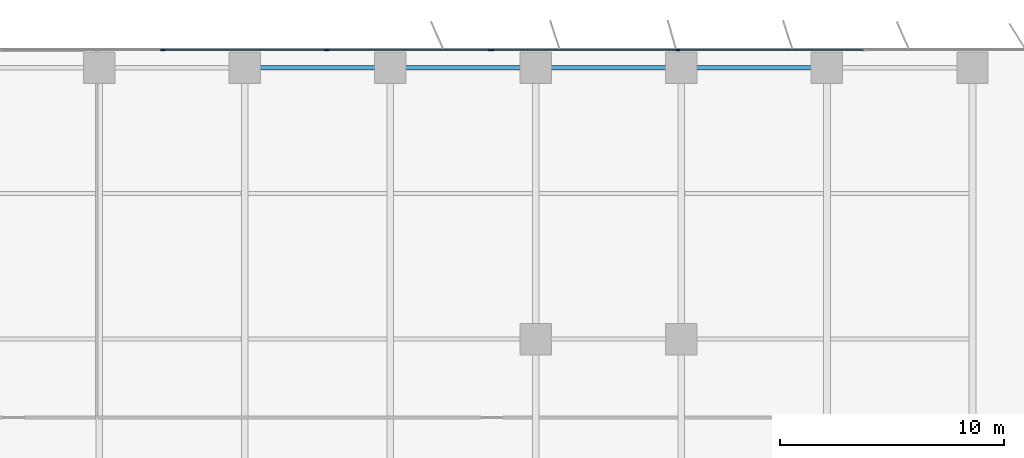
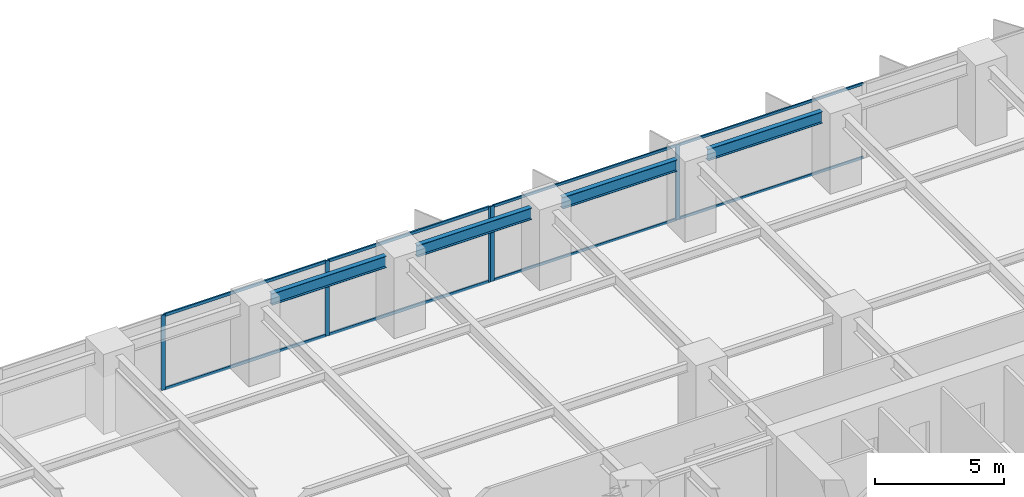
# One storey, part 9 of 20: 13 members, 4 beams, 2 elements without a shape of their own.
"""IFC4 building model written with IfcOpenShell, lengths in metres."""

from ifc_helpers import new_model, si_unit, direction, frame, origin, origin_2d, place, context, subcontext, project, spatial, rectangle, i_section, extrude, material, layer, layer_set, material_profile, profile_set, type_object, element, aggregate, save


model = new_model("IFC4")

# Units and contexts
model_context = context("Model", 3, precision=1e-05, world=origin(), true_north=direction((0.0, 1.0)))
body_context = subcontext(model_context, "Body", "Model", "MODEL_VIEW")
ifc_project = project(units=[si_unit("LENGTHUNIT", "METRE"), si_unit("AREAUNIT", "SQUARE_METRE"), si_unit("VOLUMEUNIT", "CUBIC_METRE"), si_unit("PLANEANGLEUNIT", "RADIAN"), si_unit("MASSUNIT", "GRAM", prefix="KILO")], contexts=[model_context])

# Site, building, storey
site_placement = place(None, origin())
site = spatial("IfcSite", under=ifc_project, at=site_placement, CompositionType="ELEMENT")
building_placement = place(site_placement, origin())
building = spatial("IfcBuilding", under=site, at=building_placement, Name="Putna Gate Headquarters", CompositionType="ELEMENT")
storey_placement = place(building_placement, frame((0.0, 0.0, 27.800048828125)))
storey = spatial("IfcBuildingStorey", under=building, at=storey_placement, Name="L05", CompositionType="ELEMENT", Elevation=27.800048828125)

# Beams
ifc_material_1 = material(Name="Steel S355J2", Category="steel")
ifc_material_profile_1 = material_profile(ifc_material_1, i_section(OverallWidth=0.2099609375, OverallDepth=0.550048828125, WebThickness=0.010986328125, FlangeThickness=0.01708984375, at=origin_2d()), Name="Steel S355J2")
ifc_profile_set_1 = profile_set([ifc_material_profile_1], Name="Steel S355J2")
beam_type = type_object("IfcBeamType", Name="BM-SPAN-Z1-IPE550", PredefinedType="SPANDREL", material=ifc_profile_set_1)
for number, where, z_axis, x_axis, name in (
    (1, (39.68798828125, 51.1201171875, 3.27490234375), (1.0, 0.0, 0.0), (0.0, 1.0, 0.0), "L05 N Perimeter Spandrel 6"),
    (2, (46.18798828125, 51.1201171875, 3.27490234375), (1.0, 0.0, 0.0), (0.0, 1.0, 0.0), "L05 N Perimeter Spandrel 7"),
    (3, (52.68798828125, 51.1201171875, 3.27490234375), (1.0, 0.0, 0.0), (0.0, 1.0, 0.0), "L05 N Perimeter Spandrel 8"),
    (4, (59.18798828125, 51.1201171875, 3.27490234375), (1.0, 0.0, 0.0), (0.0, 1.0, 0.0), "L05 N Perimeter Spandrel 9"),
):
    element("IfcBeam", number, at=place(storey_placement, frame(where, z_axis=z_axis, x_axis=x_axis)), inside=storey, type_object=beam_type, Name=name, PredefinedType="SPANDREL", context=body_context, shape_type="SweptSolid", body=[
        extrude(i_section(OverallWidth=0.2099609375, OverallDepth=0.550048828125, WebThickness=0.010986328125, FlangeThickness=0.01708984375, at=origin_2d()), origin(), (0.0, 0.0, 1.0), 5.1240234375),
    ])

# Curtain wall, members
ifc_material_2 = material(Name="Anodised bronze aluminium curtain wall", Category="aluminium")
ifc_layer_1 = layer(ifc_material_2, 0.179931640625)
ifc_layer_set_1 = layer_set([ifc_layer_1], Name="Anodised bronze aluminium curtain wall")
curtain_wall_type_1 = type_object("IfcCurtainWallType", Name="CW-SYS-Z1", PredefinedType="USERDEFINED", material=ifc_layer_set_1)
curtain_wall_1_placement = place(storey_placement, origin())
curtain_wall_1 = element("IfcCurtainWall", 5, at=curtain_wall_1_placement, inside=storey, type_object=curtain_wall_type_1, Name="L05 North East Curtain Wall", ObjectType="STICK CURTAIN WALL", PredefinedType="USERDEFINED")
ifc_material_3 = material(Name="Anodised bronze aluminium EN AW-6060", Category="aluminium")
ifc_material_profile_2 = material_profile(ifc_material_3, rectangle(XDim=0.070068359375, YDim=0.179931640625, at=origin_2d()), Name="Anodised bronze aluminium EN AW-6060")
ifc_profile_set_2 = profile_set([ifc_material_profile_2], Name="Anodised bronze aluminium EN AW-6060")
member_type_1 = type_object("IfcMemberType", Name="MULL-CWM-1", PredefinedType="MULLION", material=ifc_profile_set_2)
member_1_placement = place(storey_placement, frame((50.034912109375, 51.919921875, 0.0), z_axis=(0.0, 0.0, 1.0), x_axis=(0.0, 1.0, 0.0)))
member_1 = element("IfcMember", 6, at=member_1_placement, type_object=member_type_1, Name="CWS-1 mullion 1", PredefinedType="MULLION", context=body_context, shape_type="SweptSolid", body=[
    extrude(rectangle(XDim=0.070068359375, YDim=0.179931640625, at=origin_2d()), origin(), (0.0, 0.0, 1.0), 3.550048828125),
])
member_2_placement = place(storey_placement, frame((58.333251953125, 51.919921875, 0.0), z_axis=(0.0, 0.0, 1.0), x_axis=(0.0, 1.0, 0.0)))
member_2 = element("IfcMember", 7, at=member_2_placement, type_object=member_type_1, Name="CWS-1 mullion 2", PredefinedType="MULLION", context=body_context, shape_type="SweptSolid", body=[
    extrude(rectangle(XDim=0.070068359375, YDim=0.179931640625, at=origin_2d()), origin(), (0.0, 0.0, 1.0), 3.550048828125),
])

ifc_layer_2 = layer(ifc_material_2, 0.179931640625)
ifc_layer_set_2 = layer_set([ifc_layer_2], Name="Anodised bronze aluminium curtain wall")
curtain_wall_type_2 = type_object("IfcCurtainWallType", Name="CW-SYS-ATR", PredefinedType="USERDEFINED", material=ifc_layer_set_2)
curtain_wall_2_placement = place(storey_placement, origin())
curtain_wall_2 = element("IfcCurtainWall", 8, at=curtain_wall_2_placement, inside=storey, type_object=curtain_wall_type_2, Name="L05 North Atrium Clear Glazing", ObjectType="ATRIUM GLAZING", PredefinedType="USERDEFINED")
ifc_material_profile_3 = material_profile(ifc_material_3, rectangle(XDim=0.070068359375, YDim=0.179931640625, at=origin_2d()), Name="Anodised bronze aluminium EN AW-6060")
ifc_profile_set_3 = profile_set([ifc_material_profile_3], Name="Anodised bronze aluminium EN AW-6060")
member_type_2 = type_object("IfcMemberType", Name="MULL-CWM-AT", PredefinedType="MULLION", material=ifc_profile_set_3)
member_3_placement = place(storey_placement, frame((35.333251953125, 51.919921875, 0.0), z_axis=(0.0, 0.0, 1.0), x_axis=(0.0, 1.0, 0.0)))
member_3 = element("IfcMember", 9, at=member_3_placement, type_object=member_type_2, Name="CWS-AT mullion 2", PredefinedType="MULLION", context=body_context, shape_type="SweptSolid", body=[
    extrude(rectangle(XDim=0.070068359375, YDim=0.179931640625, at=origin_2d()), origin(), (0.0, 0.0, 1.0), 3.550048828125),
])
member_4_placement = place(storey_placement, frame((42.666748046875, 51.919921875, 0.0), z_axis=(0.0, 0.0, 1.0), x_axis=(0.0, 1.0, 0.0)))
member_4 = element("IfcMember", 10, at=member_4_placement, type_object=member_type_2, Name="CWS-AT mullion 3", PredefinedType="MULLION", context=body_context, shape_type="SweptSolid", body=[
    extrude(rectangle(XDim=0.070068359375, YDim=0.179931640625, at=origin_2d()), origin(), (0.0, 0.0, 1.0), 3.550048828125),
])
member_5_placement = place(storey_placement, frame((49.965087890625, 51.919921875, 0.0), z_axis=(0.0, 0.0, 1.0), x_axis=(0.0, 1.0, 0.0)))
member_5 = element("IfcMember", 11, at=member_5_placement, type_object=member_type_2, Name="CWS-AT mullion 4", PredefinedType="MULLION", context=body_context, shape_type="SweptSolid", body=[
    extrude(rectangle(XDim=0.070068359375, YDim=0.179931640625, at=origin_2d()), origin(), (0.0, 0.0, 1.0), 3.550048828125),
])

# Member
ifc_material_profile_4 = material_profile(ifc_material_3, rectangle(XDim=0.06494140625, YDim=0.1201171875, at=origin_2d()), Name="Anodised bronze aluminium EN AW-6060")
ifc_profile_set_4 = profile_set([ifc_material_profile_4], Name="Anodised bronze aluminium EN AW-6060")
member_type_3 = type_object("IfcMemberType", Name="TRAN-CWT-1", PredefinedType="USERDEFINED", material=ifc_profile_set_4)
member_6_placement = place(storey_placement, frame((50.070068359375, 51.919921875, 0.032470703125), z_axis=(1.0, 0.0, 0.0), x_axis=(0.0, 1.0, 0.0)))
member_6 = element("IfcMember", 12, at=member_6_placement, type_object=member_type_3, Name="CWS-1 transom 1.1", ObjectType="TRANSOM", PredefinedType="USERDEFINED", context=body_context, shape_type="SweptSolid", body=[
    extrude(rectangle(XDim=0.06494140625, YDim=0.1201171875, at=origin_2d()), origin(), (0.0, 0.0, 1.0), 8.228271484375),
])

member_7_placement = place(storey_placement, frame((50.070068359375, 51.919921875, 3.517333984375), z_axis=(1.0, 0.0, 0.0), x_axis=(0.0, 1.0, 0.0)))
member_7 = element("IfcMember", 13, at=member_7_placement, type_object=member_type_3, Name="CWS-1 transom 1.2", ObjectType="TRANSOM", PredefinedType="USERDEFINED", context=body_context, shape_type="SweptSolid", body=[
    extrude(rectangle(XDim=0.06494140625, YDim=0.1201171875, at=origin_2d()), origin(), (0.0, 0.0, 1.0), 8.228271484375),
])

member_8_placement = place(storey_placement, frame((58.368408203125, 51.919921875, 0.032470703125), z_axis=(1.0, 0.0, 0.0), x_axis=(0.0, 1.0, 0.0)))
member_8 = element("IfcMember", 14, at=member_8_placement, type_object=member_type_3, Name="CWS-1 transom 2.1", ObjectType="TRANSOM", PredefinedType="USERDEFINED", context=body_context, shape_type="SweptSolid", body=[
    extrude(rectangle(XDim=0.06494140625, YDim=0.1201171875, at=origin_2d()), origin(), (0.0, 0.0, 1.0), 8.26318359375),
])

member_9_placement = place(storey_placement, frame((58.368408203125, 51.919921875, 3.517333984375), z_axis=(1.0, 0.0, 0.0), x_axis=(0.0, 1.0, 0.0)))
member_9 = element("IfcMember", 15, at=member_9_placement, type_object=member_type_3, Name="CWS-1 transom 2.2", ObjectType="TRANSOM", PredefinedType="USERDEFINED", context=body_context, shape_type="SweptSolid", body=[
    extrude(rectangle(XDim=0.06494140625, YDim=0.1201171875, at=origin_2d()), origin(), (0.0, 0.0, 1.0), 8.26318359375),
])

aggregate(curtain_wall_1, [member_1, member_2, member_6, member_7, member_8, member_9])

ifc_material_profile_5 = material_profile(ifc_material_3, rectangle(XDim=0.070068359375, YDim=0.139892578125, at=origin_2d()), Name="Anodised bronze aluminium EN AW-6060")
ifc_profile_set_5 = profile_set([ifc_material_profile_5], Name="Anodised bronze aluminium EN AW-6060")
member_type_4 = type_object("IfcMemberType", Name="TRAN-CWT-AT", PredefinedType="USERDEFINED", material=ifc_profile_set_5)
member_10_placement = place(storey_placement, frame((35.368408203125, 51.919921875, 0.034912109375), z_axis=(1.0, 0.0, 0.0), x_axis=(0.0, 1.0, 0.0)))
member_10 = element("IfcMember", 16, at=member_10_placement, type_object=member_type_4, Name="CWS-AT transom 2.1", ObjectType="TRANSOM", PredefinedType="USERDEFINED", context=body_context, shape_type="SweptSolid", body=[
    extrude(rectangle(XDim=0.070068359375, YDim=0.139892578125, at=origin_2d()), origin(), (0.0, 0.0, 1.0), 7.26318359375),
])

member_11_placement = place(storey_placement, frame((35.368408203125, 51.919921875, 3.514892578125), z_axis=(1.0, 0.0, 0.0), x_axis=(0.0, 1.0, 0.0)))
member_11 = element("IfcMember", 17, at=member_11_placement, type_object=member_type_4, Name="CWS-AT transom 2.2", ObjectType="TRANSOM", PredefinedType="USERDEFINED", context=body_context, shape_type="SweptSolid", body=[
    extrude(rectangle(XDim=0.070068359375, YDim=0.139892578125, at=origin_2d()), origin(), (0.0, 0.0, 1.0), 7.26318359375),
])

member_12_placement = place(storey_placement, frame((42.70166015625, 51.919921875, 0.034912109375), z_axis=(1.0, 0.0, 0.0), x_axis=(0.0, 1.0, 0.0)))
member_12 = element("IfcMember", 18, at=member_12_placement, type_object=member_type_4, Name="CWS-AT transom 3.1", ObjectType="TRANSOM", PredefinedType="USERDEFINED", context=body_context, shape_type="SweptSolid", body=[
    extrude(rectangle(XDim=0.070068359375, YDim=0.139892578125, at=origin_2d()), origin(), (0.0, 0.0, 1.0), 7.228271484375),
])

member_13_placement = place(storey_placement, frame((42.70166015625, 51.919921875, 3.514892578125), z_axis=(1.0, 0.0, 0.0), x_axis=(0.0, 1.0, 0.0)))
member_13 = element("IfcMember", 19, at=member_13_placement, type_object=member_type_4, Name="CWS-AT transom 3.2", ObjectType="TRANSOM", PredefinedType="USERDEFINED", context=body_context, shape_type="SweptSolid", body=[
    extrude(rectangle(XDim=0.070068359375, YDim=0.139892578125, at=origin_2d()), origin(), (0.0, 0.0, 1.0), 7.228271484375),
])

aggregate(curtain_wall_2, [member_3, member_4, member_5, member_10, member_11, member_12, member_13])

save(model, "model.ifc")
